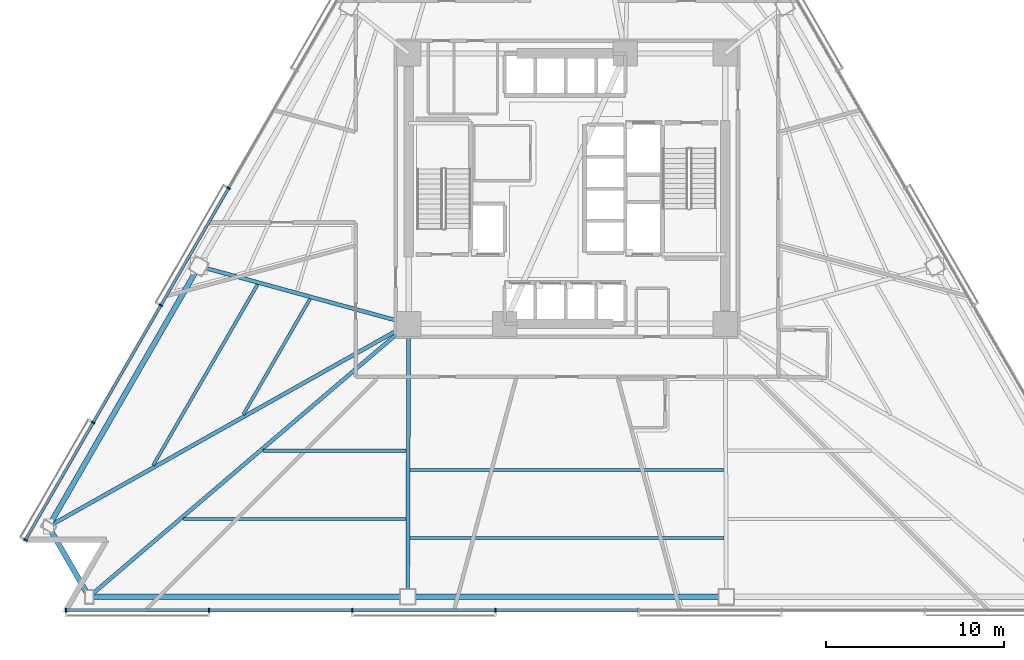
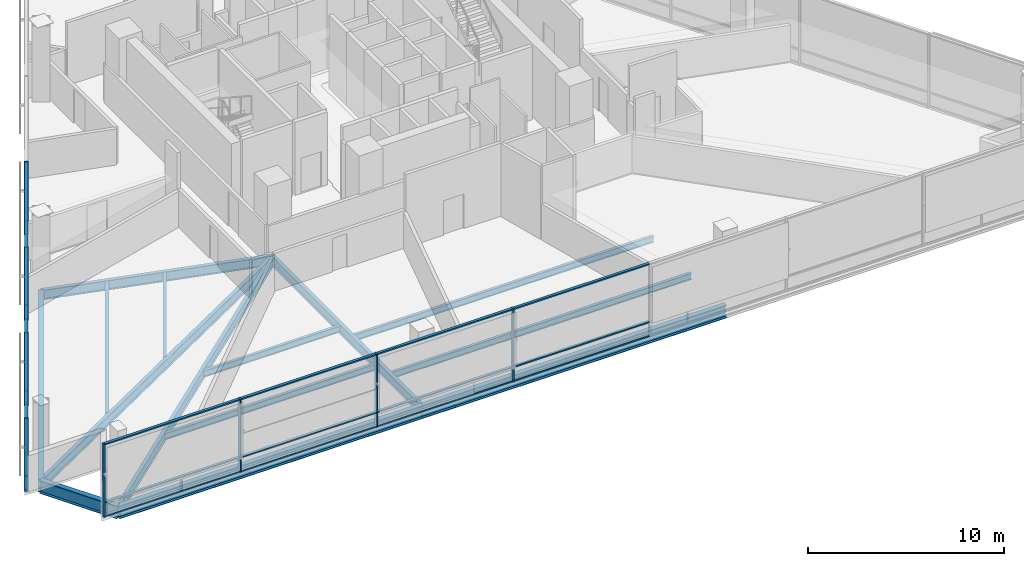
# One storey, part 2 of 17: 29 members, 14 beams, 2 elements without a shape of their own.
"""IFC4 building model written with IfcOpenShell, lengths in metres."""

from ifc_helpers import new_model, si_unit, direction, frame, origin, origin_2d, place, context, subcontext, project, spatial, rectangle, i_section, extrude, material, layer, layer_set, material_profile, profile_set, type_object, element, aggregate, save


model = new_model("IFC4")

# Units and contexts
model_context = context("Model", 3, precision=1e-05, world=origin(), true_north=direction((0.0, 1.0)))
body_context = subcontext(model_context, "Body", "Model", "MODEL_VIEW")
ifc_project = project(units=[si_unit("LENGTHUNIT", "METRE"), si_unit("AREAUNIT", "SQUARE_METRE"), si_unit("VOLUMEUNIT", "CUBIC_METRE"), si_unit("PLANEANGLEUNIT", "RADIAN"), si_unit("MASSUNIT", "GRAM", prefix="KILO")], contexts=[model_context])

# Site, building, storey
site_placement = place(None, origin())
site = spatial("IfcSite", under=ifc_project, at=site_placement, CompositionType="ELEMENT")
building_placement = place(site_placement, origin())
building = spatial("IfcBuilding", under=site, at=building_placement, Name="Tharavind Bronze Gate", CompositionType="ELEMENT")
storey_placement = place(building_placement, frame((0.0, 0.0, 52.25)))
storey = spatial("IfcBuildingStorey", under=building, at=storey_placement, Name="L12", CompositionType="ELEMENT", Elevation=52.25)

# Curtain wall, members
ifc_material_1 = material(Name="Anodised Bronze Aluminium", Category="aluminium")
ifc_layer = layer(ifc_material_1, 0.219970703125)
ifc_layer_set = layer_set([ifc_layer], Name="Anodised Bronze Aluminium")
curtain_wall_type = type_object("IfcCurtainWallType", Name="UNITISED CURTAIN WALL HOTEL", PredefinedType="USERDEFINED", material=ifc_layer_set)
curtain_wall_1_placement = place(storey_placement, origin())
curtain_wall_1 = element("IfcCurtainWall", 1, at=curtain_wall_1_placement, inside=storey, type_object=curtain_wall_type, Name="L12 unitised curtain wall hotel CW-L12-S1", ObjectType="UNITISED CURTAIN WALL", PredefinedType="USERDEFINED")
member_type_1 = type_object("IfcMemberType", Name="CURTAIN WALL MULLION 80X220", PredefinedType="MULLION", material=ifc_material_1)
member_1_placement = place(storey_placement, frame((-19.031982421875, 0.035888671875, 0.0), z_axis=(0.0, 0.0, 1.0), x_axis=(-0.500001511499, -0.866024531118, 0.0)))
member_1 = element("IfcMember", 2, at=member_1_placement, type_object=member_type_1, Name="CW-L12-S1 mullion 5", PredefinedType="MULLION", context=body_context, shape_type="SweptSolid", body=[
    extrude(rectangle(XDim=0.080078125, YDim=0.219970703125, at=origin_2d()), origin(), (0.0, 0.0, 1.0), 4.56005859375),
])
member_2_placement = place(storey_placement, frame((-22.83984375, -6.559814453125, 0.0), z_axis=(0.0, 0.0, 1.0), x_axis=(-0.500001511499, -0.866024531118, 0.0)))
member_2 = element("IfcMember", 3, at=member_2_placement, type_object=member_type_1, Name="CW-L12-S1 mullion 6", PredefinedType="MULLION", context=body_context, shape_type="SweptSolid", body=[
    extrude(rectangle(XDim=0.080078125, YDim=0.219970703125, at=origin_2d()), origin(), (0.0, 0.0, 1.0), 4.56005859375),
])
member_3_placement = place(storey_placement, frame((-26.647705078125, -13.1552734375, 0.0), z_axis=(0.0, 0.0, 1.0), x_axis=(-0.500001511499, -0.866024531118, 0.0)))
member_3 = element("IfcMember", 4, at=member_3_placement, type_object=member_type_1, Name="CW-L12-S1 mullion 7", PredefinedType="MULLION", context=body_context, shape_type="SweptSolid", body=[
    extrude(rectangle(XDim=0.080078125, YDim=0.219970703125, at=origin_2d()), origin(), (0.0, 0.0, 1.0), 4.56005859375),
])
member_4_placement = place(storey_placement, frame((-30.455810546875, -19.7509765625, 0.0), z_axis=(0.0, 0.0, 1.0), x_axis=(-0.500001511499, -0.866024531118, 0.0)))
member_4 = element("IfcMember", 5, at=member_4_placement, type_object=member_type_1, Name="CW-L12-S1 mullion 8", PredefinedType="MULLION", context=body_context, shape_type="SweptSolid", body=[
    extrude(rectangle(XDim=0.080078125, YDim=0.219970703125, at=origin_2d()), origin(), (0.0, 0.0, 1.0), 4.56005859375),
])

curtain_wall_2_placement = place(storey_placement, origin())
curtain_wall_2 = element("IfcCurtainWall", 6, at=curtain_wall_2_placement, inside=storey, type_object=curtain_wall_type, Name="L12 unitised curtain wall hotel CW-L12-S2", ObjectType="UNITISED CURTAIN WALL", PredefinedType="USERDEFINED")
member_5_placement = place(storey_placement, frame((-28.17578125, -23.699951171875, 0.0), z_axis=(0.0, 0.0, 1.0), x_axis=(1.0, 0.0, 0.0)))
member_5 = element("IfcMember", 7, at=member_5_placement, type_object=member_type_1, Name="CW-L12-S2 mullion 1", PredefinedType="MULLION", context=body_context, shape_type="SweptSolid", body=[
    extrude(rectangle(XDim=0.080078125, YDim=0.219970703125, at=origin_2d()), origin(), (0.0, 0.0, 1.0), 4.56005859375),
])
member_6_placement = place(storey_placement, frame((-20.12548828125, -23.699951171875, 0.0), z_axis=(0.0, 0.0, 1.0), x_axis=(1.0, 0.0, 0.0)))
member_6 = element("IfcMember", 8, at=member_6_placement, type_object=member_type_1, Name="CW-L12-S2 mullion 2", PredefinedType="MULLION", context=body_context, shape_type="SweptSolid", body=[
    extrude(rectangle(XDim=0.080078125, YDim=0.219970703125, at=origin_2d()), origin(), (0.0, 0.0, 1.0), 4.56005859375),
])
member_7_placement = place(storey_placement, frame((-12.0751953125, -23.699951171875, 0.0), z_axis=(0.0, 0.0, 1.0), x_axis=(1.0, 0.0, 0.0)))
member_7 = element("IfcMember", 9, at=member_7_placement, type_object=member_type_1, Name="CW-L12-S2 mullion 3", PredefinedType="MULLION", context=body_context, shape_type="SweptSolid", body=[
    extrude(rectangle(XDim=0.080078125, YDim=0.219970703125, at=origin_2d()), origin(), (0.0, 0.0, 1.0), 4.56005859375),
])
member_8_placement = place(storey_placement, frame((-4.025146484375, -23.699951171875, 0.0), z_axis=(0.0, 0.0, 1.0), x_axis=(1.0, 0.0, 0.0)))
member_8 = element("IfcMember", 10, at=member_8_placement, type_object=member_type_1, Name="CW-L12-S2 mullion 4", PredefinedType="MULLION", context=body_context, shape_type="SweptSolid", body=[
    extrude(rectangle(XDim=0.080078125, YDim=0.219970703125, at=origin_2d()), origin(), (0.0, 0.0, 1.0), 4.56005859375),
])

# Member
member_type_2 = type_object("IfcMemberType", Name="CURTAIN WALL TRANSOM 80X160", PredefinedType="USERDEFINED", material=ifc_material_1)
member_9_placement = place(storey_placement, frame((-20.935791015625, -3.261962890625, 0.0), z_axis=(0.0, 0.0, 1.0), x_axis=(-0.500001511499, -0.866024531118, 0.0)))
member_9 = element("IfcMember", 11, at=member_9_placement, type_object=member_type_2, Name="CW-L12-S1 transom TB5", ObjectType="TRANSOM", PredefinedType="USERDEFINED", context=body_context, shape_type="SweptSolid", body=[
    extrude(rectangle(XDim=7.5478515625, YDim=0.159912109375, at=origin_2d()), origin(), (0.0, 0.0, 1.0), 0.080078125),
])

member_10_placement = place(storey_placement, frame((-20.935791015625, -3.261962890625, 0.85986328125), z_axis=(0.0, 0.0, 1.0), x_axis=(-0.500001511499, -0.866024531118, 0.0)))
member_10 = element("IfcMember", 12, at=member_10_placement, type_object=member_type_2, Name="CW-L12-S1 transom TS5", ObjectType="TRANSOM", PredefinedType="USERDEFINED", context=body_context, shape_type="SweptSolid", body=[
    extrude(rectangle(XDim=7.5478515625, YDim=0.159912109375, at=origin_2d()), origin(), (0.0, 0.0, 1.0), 0.080078125),
])

member_11_placement = place(storey_placement, frame((-20.935791015625, -3.261962890625, 4.47998046875), z_axis=(0.0, 0.0, 1.0), x_axis=(-0.500001511499, -0.866024531118, 0.0)))
member_11 = element("IfcMember", 13, at=member_11_placement, type_object=member_type_2, Name="CW-L12-S1 transom TT5", ObjectType="TRANSOM", PredefinedType="USERDEFINED", context=body_context, shape_type="SweptSolid", body=[
    extrude(rectangle(XDim=7.5478515625, YDim=0.159912109375, at=origin_2d()), origin(), (0.0, 0.0, 1.0), 0.080078125),
])

member_12_placement = place(storey_placement, frame((-24.743896484375, -9.857421875, 0.0), z_axis=(0.0, 0.0, 1.0), x_axis=(-0.500001511499, -0.866024531118, 0.0)))
member_12 = element("IfcMember", 14, at=member_12_placement, type_object=member_type_2, Name="CW-L12-S1 transom TB6", ObjectType="TRANSOM", PredefinedType="USERDEFINED", context=body_context, shape_type="SweptSolid", body=[
    extrude(rectangle(XDim=7.5478515625, YDim=0.159912109375, at=origin_2d()), origin(), (0.0, 0.0, 1.0), 0.080078125),
])

member_13_placement = place(storey_placement, frame((-24.743896484375, -9.857421875, 0.85986328125), z_axis=(0.0, 0.0, 1.0), x_axis=(-0.500001511499, -0.866024531118, 0.0)))
member_13 = element("IfcMember", 15, at=member_13_placement, type_object=member_type_2, Name="CW-L12-S1 transom TS6", ObjectType="TRANSOM", PredefinedType="USERDEFINED", context=body_context, shape_type="SweptSolid", body=[
    extrude(rectangle(XDim=7.5478515625, YDim=0.159912109375, at=origin_2d()), origin(), (0.0, 0.0, 1.0), 0.080078125),
])

member_14_placement = place(storey_placement, frame((-24.743896484375, -9.857421875, 4.47998046875), z_axis=(0.0, 0.0, 1.0), x_axis=(-0.500001511499, -0.866024531118, 0.0)))
member_14 = element("IfcMember", 16, at=member_14_placement, type_object=member_type_2, Name="CW-L12-S1 transom TT6", ObjectType="TRANSOM", PredefinedType="USERDEFINED", context=body_context, shape_type="SweptSolid", body=[
    extrude(rectangle(XDim=7.5478515625, YDim=0.159912109375, at=origin_2d()), origin(), (0.0, 0.0, 1.0), 0.080078125),
])

member_15_placement = place(storey_placement, frame((-28.5517578125, -16.453125, 0.0), z_axis=(0.0, 0.0, 1.0), x_axis=(-0.500001511499, -0.866024531118, 0.0)))
member_15 = element("IfcMember", 17, at=member_15_placement, type_object=member_type_2, Name="CW-L12-S1 transom TB7", ObjectType="TRANSOM", PredefinedType="USERDEFINED", context=body_context, shape_type="SweptSolid", body=[
    extrude(rectangle(XDim=7.5478515625, YDim=0.159912109375, at=origin_2d()), origin(), (0.0, 0.0, 1.0), 0.080078125),
])

member_16_placement = place(storey_placement, frame((-28.5517578125, -16.453125, 0.85986328125), z_axis=(0.0, 0.0, 1.0), x_axis=(-0.500001511499, -0.866024531118, 0.0)))
member_16 = element("IfcMember", 18, at=member_16_placement, type_object=member_type_2, Name="CW-L12-S1 transom TS7", ObjectType="TRANSOM", PredefinedType="USERDEFINED", context=body_context, shape_type="SweptSolid", body=[
    extrude(rectangle(XDim=7.5478515625, YDim=0.159912109375, at=origin_2d()), origin(), (0.0, 0.0, 1.0), 0.080078125),
])

member_17_placement = place(storey_placement, frame((-28.5517578125, -16.453125, 4.47998046875), z_axis=(0.0, 0.0, 1.0), x_axis=(-0.500001511499, -0.866024531118, 0.0)))
member_17 = element("IfcMember", 19, at=member_17_placement, type_object=member_type_2, Name="CW-L12-S1 transom TT7", ObjectType="TRANSOM", PredefinedType="USERDEFINED", context=body_context, shape_type="SweptSolid", body=[
    extrude(rectangle(XDim=7.5478515625, YDim=0.159912109375, at=origin_2d()), origin(), (0.0, 0.0, 1.0), 0.080078125),
])

aggregate(curtain_wall_1, [member_1, member_2, member_3, member_4, member_9, member_10, member_11, member_12, member_13, member_14, member_15, member_16, member_17])

member_18_placement = place(storey_placement, frame((-24.150634765625, -23.699951171875, 0.0), z_axis=(0.0, 0.0, 1.0), x_axis=(1.0, 0.0, 0.0)))
member_18 = element("IfcMember", 20, at=member_18_placement, type_object=member_type_2, Name="CW-L12-S2 transom TB1", ObjectType="TRANSOM", PredefinedType="USERDEFINED", context=body_context, shape_type="SweptSolid", body=[
    extrude(rectangle(XDim=7.982177734375, YDim=0.159912109375, at=origin_2d()), origin(), (0.0, 0.0, 1.0), 0.080078125),
])

member_19_placement = place(storey_placement, frame((-24.150634765625, -23.699951171875, 0.85986328125), z_axis=(0.0, 0.0, 1.0), x_axis=(1.0, 0.0, 0.0)))
member_19 = element("IfcMember", 21, at=member_19_placement, type_object=member_type_2, Name="CW-L12-S2 transom TS1", ObjectType="TRANSOM", PredefinedType="USERDEFINED", context=body_context, shape_type="SweptSolid", body=[
    extrude(rectangle(XDim=7.982177734375, YDim=0.159912109375, at=origin_2d()), origin(), (0.0, 0.0, 1.0), 0.080078125),
])

member_20_placement = place(storey_placement, frame((-24.150634765625, -23.699951171875, 4.47998046875), z_axis=(0.0, 0.0, 1.0), x_axis=(1.0, 0.0, 0.0)))
member_20 = element("IfcMember", 22, at=member_20_placement, type_object=member_type_2, Name="CW-L12-S2 transom TT1", ObjectType="TRANSOM", PredefinedType="USERDEFINED", context=body_context, shape_type="SweptSolid", body=[
    extrude(rectangle(XDim=7.982177734375, YDim=0.159912109375, at=origin_2d()), origin(), (0.0, 0.0, 1.0), 0.080078125),
])

member_21_placement = place(storey_placement, frame((-16.1005859375, -23.699951171875, 0.0), z_axis=(0.0, 0.0, 1.0), x_axis=(1.0, 0.0, 0.0)))
member_21 = element("IfcMember", 23, at=member_21_placement, type_object=member_type_2, Name="CW-L12-S2 transom TB2", ObjectType="TRANSOM", PredefinedType="USERDEFINED", context=body_context, shape_type="SweptSolid", body=[
    extrude(rectangle(XDim=7.982177734375, YDim=0.159912109375, at=origin_2d()), origin(), (0.0, 0.0, 1.0), 0.080078125),
])

member_22_placement = place(storey_placement, frame((-16.1005859375, -23.699951171875, 0.85986328125), z_axis=(0.0, 0.0, 1.0), x_axis=(1.0, 0.0, 0.0)))
member_22 = element("IfcMember", 24, at=member_22_placement, type_object=member_type_2, Name="CW-L12-S2 transom TS2", ObjectType="TRANSOM", PredefinedType="USERDEFINED", context=body_context, shape_type="SweptSolid", body=[
    extrude(rectangle(XDim=7.982177734375, YDim=0.159912109375, at=origin_2d()), origin(), (0.0, 0.0, 1.0), 0.080078125),
])

member_23_placement = place(storey_placement, frame((-16.1005859375, -23.699951171875, 4.47998046875), z_axis=(0.0, 0.0, 1.0), x_axis=(1.0, 0.0, 0.0)))
member_23 = element("IfcMember", 25, at=member_23_placement, type_object=member_type_2, Name="CW-L12-S2 transom TT2", ObjectType="TRANSOM", PredefinedType="USERDEFINED", context=body_context, shape_type="SweptSolid", body=[
    extrude(rectangle(XDim=7.982177734375, YDim=0.159912109375, at=origin_2d()), origin(), (0.0, 0.0, 1.0), 0.080078125),
])

member_24_placement = place(storey_placement, frame((-8.05029296875, -23.699951171875, 0.0), z_axis=(0.0, 0.0, 1.0), x_axis=(1.0, 0.0, 0.0)))
member_24 = element("IfcMember", 26, at=member_24_placement, type_object=member_type_2, Name="CW-L12-S2 transom TB3", ObjectType="TRANSOM", PredefinedType="USERDEFINED", context=body_context, shape_type="SweptSolid", body=[
    extrude(rectangle(XDim=7.982177734375, YDim=0.159912109375, at=origin_2d()), origin(), (0.0, 0.0, 1.0), 0.080078125),
])

member_25_placement = place(storey_placement, frame((-8.05029296875, -23.699951171875, 0.85986328125), z_axis=(0.0, 0.0, 1.0), x_axis=(1.0, 0.0, 0.0)))
member_25 = element("IfcMember", 27, at=member_25_placement, type_object=member_type_2, Name="CW-L12-S2 transom TS3", ObjectType="TRANSOM", PredefinedType="USERDEFINED", context=body_context, shape_type="SweptSolid", body=[
    extrude(rectangle(XDim=7.982177734375, YDim=0.159912109375, at=origin_2d()), origin(), (0.0, 0.0, 1.0), 0.080078125),
])

member_26_placement = place(storey_placement, frame((-8.05029296875, -23.699951171875, 4.47998046875), z_axis=(0.0, 0.0, 1.0), x_axis=(1.0, 0.0, 0.0)))
member_26 = element("IfcMember", 28, at=member_26_placement, type_object=member_type_2, Name="CW-L12-S2 transom TT3", ObjectType="TRANSOM", PredefinedType="USERDEFINED", context=body_context, shape_type="SweptSolid", body=[
    extrude(rectangle(XDim=7.982177734375, YDim=0.159912109375, at=origin_2d()), origin(), (0.0, 0.0, 1.0), 0.080078125),
])

member_27_placement = place(storey_placement, frame((0.0, -23.699951171875, 0.0), z_axis=(0.0, 0.0, 1.0), x_axis=(1.0, 0.0, 0.0)))
member_27 = element("IfcMember", 29, at=member_27_placement, type_object=member_type_2, Name="CW-L12-S2 transom TB4", ObjectType="TRANSOM", PredefinedType="USERDEFINED", context=body_context, shape_type="SweptSolid", body=[
    extrude(rectangle(XDim=7.982177734375, YDim=0.159912109375, at=origin_2d()), origin(), (0.0, 0.0, 1.0), 0.080078125),
])

member_28_placement = place(storey_placement, frame((0.0, -23.699951171875, 0.85986328125), z_axis=(0.0, 0.0, 1.0), x_axis=(1.0, 0.0, 0.0)))
member_28 = element("IfcMember", 30, at=member_28_placement, type_object=member_type_2, Name="CW-L12-S2 transom TS4", ObjectType="TRANSOM", PredefinedType="USERDEFINED", context=body_context, shape_type="SweptSolid", body=[
    extrude(rectangle(XDim=7.982177734375, YDim=0.159912109375, at=origin_2d()), origin(), (0.0, 0.0, 1.0), 0.080078125),
])

member_29_placement = place(storey_placement, frame((0.0, -23.699951171875, 4.47998046875), z_axis=(0.0, 0.0, 1.0), x_axis=(1.0, 0.0, 0.0)))
member_29 = element("IfcMember", 31, at=member_29_placement, type_object=member_type_2, Name="CW-L12-S2 transom TT4", ObjectType="TRANSOM", PredefinedType="USERDEFINED", context=body_context, shape_type="SweptSolid", body=[
    extrude(rectangle(XDim=7.982177734375, YDim=0.159912109375, at=origin_2d()), origin(), (0.0, 0.0, 1.0), 0.080078125),
])

aggregate(curtain_wall_2, [member_5, member_6, member_7, member_8, member_18, member_19, member_20, member_21, member_22, member_23, member_24, member_25, member_26, member_27, member_28, member_29])

# Beams
ifc_material_2 = material(Name="Steel S355", Category="steel")
ifc_material_profile_1 = material_profile(ifc_material_2, i_section(OverallWidth=0.219970703125, OverallDepth=0.60009765625, WebThickness=0.011962890625, FlangeThickness=0.01904296875, at=origin_2d()), Name="IPE600")
ifc_profile_set_1 = profile_set([ifc_material_profile_1], Name="Steel S355")
beam_type_1 = type_object("IfcBeamType", Name="PRIMARY GIRDER IPE600", PredefinedType="USERDEFINED", material=ifc_profile_set_1)
beam_1_placement = place(storey_placement, frame((-20.70458984375, -4.361083984375, -0.47509765625), z_axis=(0.96435718827, -0.264603880228, 0.0), x_axis=(0.264603880228, 0.96435718827, 0.0)))
element("IfcBeam", 32, at=beam_1_placement, inside=storey, type_object=beam_type_1, Name="L12 primary girder ipe600 BM-L12-RAD03", ObjectType="GIRDER", PredefinedType="USERDEFINED", context=body_context, shape_type="SweptSolid", body=[
    extrude(i_section(OverallWidth=0.219970703125, OverallDepth=0.60009765625, WebThickness=0.011962890625, FlangeThickness=0.01904296875, at=origin_2d()), origin(), (0.0, 0.0, 1.0), 12.240966796875),
])
beam_2_placement = place(storey_placement, frame((-29.15673828125, -19.0009765625, -0.47509765625), z_axis=(0.871457703454, 0.490470662824, 0.0), x_axis=(-0.490470662824, 0.871457703454, 0.0)))
element("IfcBeam", 33, at=beam_2_placement, inside=storey, type_object=beam_type_1, Name="L12 primary girder ipe600 BM-L12-RAD04", ObjectType="GIRDER", PredefinedType="USERDEFINED", context=body_context, shape_type="SweptSolid", body=[
    extrude(i_section(OverallWidth=0.219970703125, OverallDepth=0.60009765625, WebThickness=0.011962890625, FlangeThickness=0.01904296875, at=origin_2d()), origin(), (0.0, 0.0, 1.0), 23.244873046875),
])
beam_3_placement = place(storey_placement, frame((-26.876708984375, -22.949951171875, -0.47509765625), z_axis=(0.76048513475, 0.649355341723, 0.0), x_axis=(-0.649355341723, 0.76048513475, 0.0)))
element("IfcBeam", 34, at=beam_3_placement, inside=storey, type_object=beam_type_1, Name="L12 primary girder ipe600 BM-L12-RAD05", ObjectType="GIRDER", PredefinedType="USERDEFINED", context=body_context, shape_type="SweptSolid", body=[
    extrude(i_section(OverallWidth=0.219970703125, OverallDepth=0.60009765625, WebThickness=0.011962890625, FlangeThickness=0.01904296875, at=origin_2d()), origin(), (0.0, 0.0, 1.0), 23.638671875),
])
beam_4_placement = place(storey_placement, frame((-8.958984375, -22.949951171875, -0.47509765625), z_axis=(0.003849000484, 0.99999259257, 0.0), x_axis=(-0.99999259257, 0.003849000484, 0.0)))
element("IfcBeam", 35, at=beam_4_placement, inside=storey, type_object=beam_type_1, Name="L12 primary girder ipe600 BM-L12-RAD06", ObjectType="GIRDER", PredefinedType="USERDEFINED", context=body_context, shape_type="SweptSolid", body=[
    extrude(i_section(OverallWidth=0.219970703125, OverallDepth=0.60009765625, WebThickness=0.011962890625, FlangeThickness=0.01904296875, at=origin_2d()), origin(), (0.0, 0.0, 1.0), 15.349853515625),
])
ifc_material_profile_2 = material_profile(ifc_material_2, i_section(OverallWidth=0.300048828125, OverallDepth=0.800048828125, WebThickness=0.017578125, FlangeThickness=0.032958984375, at=origin_2d()), Name="HE800B")
ifc_profile_set_2 = profile_set([ifc_material_profile_2], Name="Steel S355")
beam_type_2 = type_object("IfcBeamType", Name="RING GIRDER HE800B", PredefinedType="USERDEFINED", material=ifc_profile_set_2)
beam_5_placement = place(storey_placement, frame((-20.70458984375, -4.361083984375, -0.574951171875), z_axis=(-0.4999912383, -0.866030462295, 0.0), x_axis=(0.866030462295, -0.4999912383, 0.0)))
element("IfcBeam", 36, at=beam_5_placement, inside=storey, type_object=beam_type_2, Name="L12 ring girder he800b BM-L12-PRG03", ObjectType="GIRDER", PredefinedType="USERDEFINED", context=body_context, shape_type="SweptSolid", body=[
    extrude(i_section(OverallWidth=0.300048828125, OverallDepth=0.800048828125, WebThickness=0.017578125, FlangeThickness=0.032958984375, at=origin_2d()), origin(), (0.0, 0.0, 1.0), 16.904541015625),
])
beam_6_placement = place(storey_placement, frame((-29.15673828125, -19.0009765625, -0.574951171875), z_axis=(0.500014431597, -0.866017071537, 0.0), x_axis=(0.866017071537, 0.500014431597, 0.0)))
element("IfcBeam", 37, at=beam_6_placement, inside=storey, type_object=beam_type_2, Name="L12 ring girder he800b BM-L12-PRG04", ObjectType="GIRDER", PredefinedType="USERDEFINED", context=body_context, shape_type="SweptSolid", body=[
    extrude(i_section(OverallWidth=0.300048828125, OverallDepth=0.800048828125, WebThickness=0.017578125, FlangeThickness=0.032958984375, at=origin_2d()), origin(), (0.0, 0.0, 1.0), 4.559814453125),
])
beam_7_placement = place(storey_placement, frame((-26.876708984375, -22.949951171875, -0.574951171875), z_axis=(1.0, 0.0, 0.0), x_axis=(0.0, 1.0, 0.0)))
element("IfcBeam", 38, at=beam_7_placement, inside=storey, type_object=beam_type_2, Name="L12 ring girder he800b BM-L12-PRG05", ObjectType="GIRDER", PredefinedType="USERDEFINED", context=body_context, shape_type="SweptSolid", body=[
    extrude(i_section(OverallWidth=0.300048828125, OverallDepth=0.800048828125, WebThickness=0.017578125, FlangeThickness=0.032958984375, at=origin_2d()), origin(), (0.0, 0.0, 1.0), 17.917724609375),
])
beam_8_placement = place(storey_placement, frame((-8.958984375, -22.949951171875, -0.574951171875), z_axis=(1.0, 0.0, 0.0), x_axis=(0.0, 1.0, 0.0)))
element("IfcBeam", 39, at=beam_8_placement, inside=storey, type_object=beam_type_2, Name="L12 ring girder he800b BM-L12-PRG06", ObjectType="GIRDER", PredefinedType="USERDEFINED", context=body_context, shape_type="SweptSolid", body=[
    extrude(i_section(OverallWidth=0.300048828125, OverallDepth=0.800048828125, WebThickness=0.017578125, FlangeThickness=0.032958984375, at=origin_2d()), origin(), (0.0, 0.0, 1.0), 17.91796875),
])
ifc_material_profile_3 = material_profile(ifc_material_2, i_section(OverallWidth=0.179931640625, OverallDepth=0.39990234375, WebThickness=0.008544921875, FlangeThickness=0.013427734375, at=origin_2d()), Name="IPE400")
ifc_profile_set_3 = profile_set([ifc_material_profile_3], Name="Steel S355")
beam_type_3 = type_object("IfcBeamType", Name="SECONDARY FLOOR JOIST IPE400", PredefinedType="JOIST", material=ifc_profile_set_3)
beam_9_placement = place(storey_placement, frame((-14.447998046875, -6.19580078125, -0.375), z_axis=(-0.499995879736, -0.866027782607, 0.0), x_axis=(0.866027782607, -0.499995879736, 0.0)))
element("IfcBeam", 40, at=beam_9_placement, inside=storey, type_object=beam_type_3, Name="L12 secondary floor joist ipe400 BM-L12-JSTA03", PredefinedType="JOIST", context=body_context, shape_type="SweptSolid", body=[
    extrude(i_section(OverallWidth=0.179931640625, OverallDepth=0.39990234375, WebThickness=0.008544921875, FlangeThickness=0.013427734375, at=origin_2d()), origin(), (0.0, 0.0, 1.0), 7.52294921875),
])
beam_10_placement = place(storey_placement, frame((-17.399169921875, -5.38623046875, -0.375), z_axis=(-0.499996459651, -0.866027447796, 0.0), x_axis=(0.866027447796, -0.499996459651, 0.0)))
element("IfcBeam", 41, at=beam_10_placement, inside=storey, type_object=beam_type_3, Name="L12 secondary floor joist ipe400 BM-L12-JSTB03", PredefinedType="JOIST", context=body_context, shape_type="SweptSolid", body=[
    extrude(i_section(OverallWidth=0.179931640625, OverallDepth=0.39990234375, WebThickness=0.008544921875, FlangeThickness=0.013427734375, at=origin_2d()), origin(), (0.0, 0.0, 1.0), 11.7490234375),
])
beam_11_placement = place(storey_placement, frame((-17.085693359375, -14.73779296875, -0.375), z_axis=(1.0, 0.0, 0.0), x_axis=(0.0, 1.0, 0.0)))
element("IfcBeam", 42, at=beam_11_placement, inside=storey, type_object=beam_type_3, Name="L12 secondary floor joist ipe400 BM-L12-JSTA05", PredefinedType="JOIST", context=body_context, shape_type="SweptSolid", body=[
    extrude(i_section(OverallWidth=0.179931640625, OverallDepth=0.39990234375, WebThickness=0.008544921875, FlangeThickness=0.013427734375, at=origin_2d()), origin(), (0.0, 0.0, 1.0), 8.044189453125),
])
beam_12_placement = place(storey_placement, frame((-21.580078125, -18.5751953125, -0.375), z_axis=(1.0, 0.0, 0.0), x_axis=(0.0, 1.0, 0.0)))
element("IfcBeam", 43, at=beam_12_placement, inside=storey, type_object=beam_type_3, Name="L12 secondary floor joist ipe400 BM-L12-JSTB05", PredefinedType="JOIST", context=body_context, shape_type="SweptSolid", body=[
    extrude(i_section(OverallWidth=0.179931640625, OverallDepth=0.39990234375, WebThickness=0.008544921875, FlangeThickness=0.013427734375, at=origin_2d()), origin(), (0.0, 0.0, 1.0), 12.52392578125),
])
beam_13_placement = place(storey_placement, frame((-8.8173828125, -15.812255859375, -0.375), z_axis=(1.0, 0.0, 0.0), x_axis=(0.0, 1.0, 0.0)))
element("IfcBeam", 44, at=beam_13_placement, inside=storey, type_object=beam_type_3, Name="L12 secondary floor joist ipe400 BM-L12-JSTA06", PredefinedType="JOIST", context=body_context, shape_type="SweptSolid", body=[
    extrude(i_section(OverallWidth=0.179931640625, OverallDepth=0.39990234375, WebThickness=0.008544921875, FlangeThickness=0.013427734375, at=origin_2d()), origin(), (0.0, 0.0, 1.0), 17.634765625),
])
beam_14_placement = place(storey_placement, frame((-8.832275390625, -19.64990234375, -0.375), z_axis=(1.0, 0.0, 0.0), x_axis=(0.0, 1.0, 0.0)))
element("IfcBeam", 45, at=beam_14_placement, inside=storey, type_object=beam_type_3, Name="L12 secondary floor joist ipe400 BM-L12-JSTB06", PredefinedType="JOIST", context=body_context, shape_type="SweptSolid", body=[
    extrude(i_section(OverallWidth=0.179931640625, OverallDepth=0.39990234375, WebThickness=0.008544921875, FlangeThickness=0.013427734375, at=origin_2d()), origin(), (0.0, 0.0, 1.0), 17.66455078125),
])

save(model, "model.ifc")
